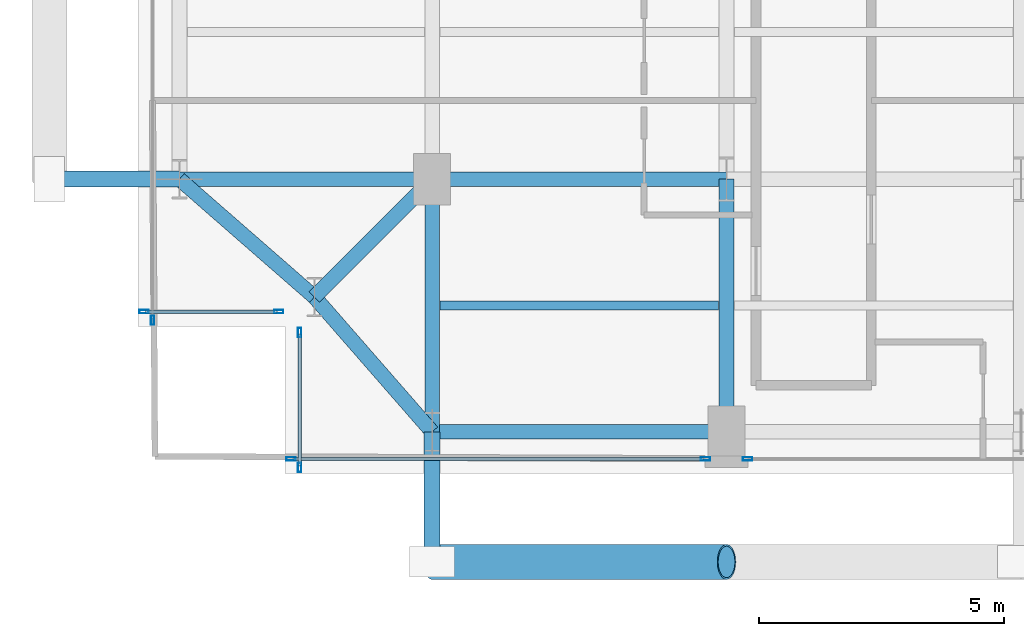
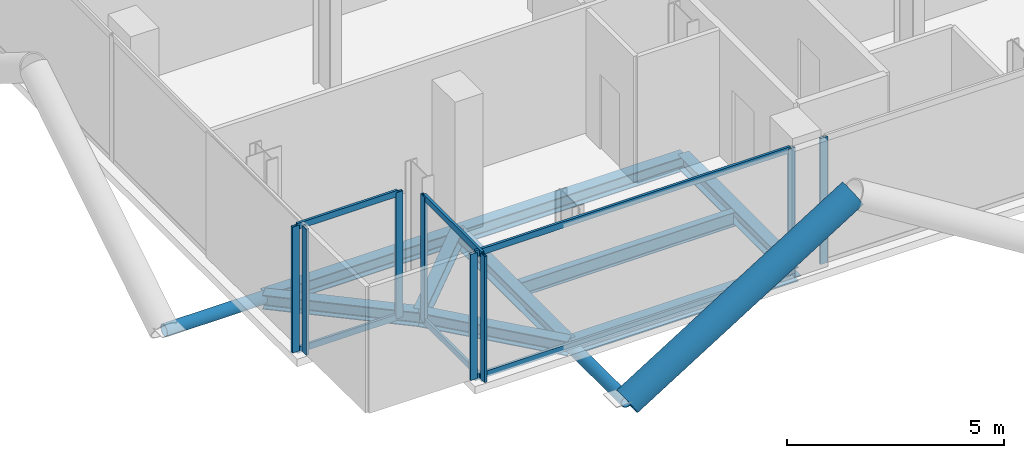
# One storey, part 2 of 25: 17 members, 9 beams, 5 elements without a shape of their own.
"""IFC4 building model written with IfcOpenShell, lengths in metres."""

from ifc_helpers import new_model, si_unit, direction, frame, origin, origin_2d, place, context, subcontext, project, spatial, hollow_rectangle, hollow_circle, i_section, extrude, material, layer, layer_set, material_profile, profile_set, type_object, element, aggregate, save


model = new_model("IFC4")

# Units and contexts
model_context = context("Model", 3, precision=1e-05, world=origin(), true_north=direction((0.0, 1.0)))
body_context = subcontext(model_context, "Body", "Model", "MODEL_VIEW")
ifc_project = project(units=[si_unit("LENGTHUNIT", "METRE"), si_unit("AREAUNIT", "SQUARE_METRE"), si_unit("VOLUMEUNIT", "CUBIC_METRE"), si_unit("PLANEANGLEUNIT", "RADIAN"), si_unit("MASSUNIT", "GRAM", prefix="KILO"), si_unit("THERMODYNAMICTEMPERATUREUNIT", "KELVIN"), si_unit("POWERUNIT", "WATT")], contexts=[model_context])

# Site, building, storey
site_placement = place(None, origin())
site = spatial("IfcSite", under=ifc_project, at=site_placement, CompositionType="ELEMENT")
building_placement = place(site_placement, origin())
building = spatial("IfcBuilding", under=site, at=building_placement, Name="Svarakhadi Broadcast Tower", CompositionType="ELEMENT")
storey_placement = place(building_placement, frame((0.0, 0.0, 212.39990234375)))
storey = spatial("IfcBuildingStorey", under=building, at=storey_placement, Name="L52", CompositionType="ELEMENT", Elevation=212.39990234375)

# Beam
ifc_material_1 = material(Name="Steel S355J2 (IS 2062 E350C)", Category="steel")
ifc_material_profile_1 = material_profile(ifc_material_1, i_section(OverallWidth=0.179931640625, OverallDepth=0.39990234375, WebThickness=0.008544921875, FlangeThickness=0.013427734375, FilletRadius=0.02099609375, at=origin_2d()), Name="NPB 400x180x66")
ifc_profile_set_1 = profile_set([ifc_material_profile_1], Name="Steel S355J2 (IS 2062 E350C)")
beam_type_1 = type_object("IfcBeamType", Name="Beam_NPB400", PredefinedType="BEAM", material=ifc_profile_set_1)
beam_1_placement = place(storey_placement, frame((6.159912109375, 3.425048828125, -0.409912109375), z_axis=(1.0, 0.0, 0.0), x_axis=(0.0, 1.0, 0.0)))
element("IfcBeam", 1, at=beam_1_placement, inside=storey, type_object=beam_type_1, Name="L52 Secondary Composite Beam SB005", PredefinedType="BEAM", context=body_context, shape_type="SweptSolid", body=[
    extrude(i_section(OverallWidth=0.179931640625, OverallDepth=0.39990234375, WebThickness=0.008544921875, FlangeThickness=0.013427734375, FilletRadius=0.02099609375, at=origin_2d()), origin(), (0.0, 0.0, 1.0), 5.68017578125),
])

# Curtain wall, members
ifc_material_2 = material(Name="Anodised Bronze Aluminium AA 6063-T6", Category="aluminium")
ifc_layer = layer(ifc_material_2, 0.18994140625)
ifc_layer_set = layer_set([ifc_layer], Name="Anodised Bronze Aluminium AA 6063-T6")
curtain_wall_type = type_object("IfcCurtainWallType", Name="CW_Sys_04", PredefinedType="NOTDEFINED", material=ifc_layer_set)
curtain_wall_1_placement = place(storey_placement, origin())
curtain_wall_1 = element("IfcCurtainWall", 2, at=curtain_wall_1_placement, inside=storey, type_object=curtain_wall_type, Name="L52 Unitised Facade Curtain Wall 01", PredefinedType="NOTDEFINED")
ifc_material_profile_2 = material_profile(ifc_material_2, hollow_rectangle(XDim=0.070068359375, YDim=0.18994140625, WallThickness=0.005615234375, at=origin_2d()), Name="ALU MULLION 190x70x6")
ifc_profile_set_2 = profile_set([ifc_material_profile_2], Name="Anodised Bronze Aluminium AA 6063-T6")
member_type_1 = type_object("IfcMemberType", Name="CW_Sys_04_Mul", PredefinedType="MULLION", material=ifc_profile_set_2)
member_1_placement = place(storey_placement, frame((2.875, 3.300048828125, 0.0), z_axis=(0.0, 0.0, 1.0), x_axis=(0.0, -1.0, 0.0)))
member_1 = element("IfcMember", 3, at=member_1_placement, type_object=member_type_1, Name="CW-04 mullion 1", PredefinedType="MULLION", context=body_context, shape_type="SweptSolid", body=[
    extrude(hollow_rectangle(XDim=0.070068359375, YDim=0.18994140625, WallThickness=0.005615234375, at=origin_2d()), origin(), (0.0, 0.0, 1.0), 3.5400390625),
])
member_2_placement = place(storey_placement, frame((0.125, 3.300048828125, 0.0), z_axis=(0.0, 0.0, 1.0), x_axis=(0.0, -1.0, 0.0)))
member_2 = element("IfcMember", 4, at=member_2_placement, type_object=member_type_1, Name="CW-04 mullion 2", PredefinedType="MULLION", context=body_context, shape_type="SweptSolid", body=[
    extrude(hollow_rectangle(XDim=0.070068359375, YDim=0.18994140625, WallThickness=0.005615234375, at=origin_2d()), origin(), (0.0, 0.0, 1.0), 3.5400390625),
])

# Curtain wall, member
curtain_wall_2_placement = place(storey_placement, origin())
curtain_wall_2 = element("IfcCurtainWall", 5, at=curtain_wall_2_placement, inside=storey, type_object=curtain_wall_type, Name="L52 West Curtain Wall 02", PredefinedType="NOTDEFINED")
member_3_placement = place(storey_placement, frame((0.300048828125, 3.125, 0.0), z_axis=(0.0, 0.0, 1.0), x_axis=(-1.0, 0.0, 0.0)))
member_3 = element("IfcMember", 6, at=member_3_placement, type_object=member_type_1, Name="CW-04 mullion 1", PredefinedType="MULLION", context=body_context, shape_type="SweptSolid", body=[
    extrude(hollow_rectangle(XDim=0.070068359375, YDim=0.18994140625, WallThickness=0.005615234375, at=origin_2d()), origin(), (0.0, 0.0, 1.0), 3.5400390625),
])
aggregate(curtain_wall_2, [member_3])

curtain_wall_3_placement = place(storey_placement, origin())
curtain_wall_3 = element("IfcCurtainWall", 7, at=curtain_wall_3_placement, inside=storey, type_object=curtain_wall_type, Name="L52 South Curtain Wall 17 Bay 2", PredefinedType="NOTDEFINED")
member_4_placement = place(storey_placement, frame((12.429931640625, 0.300048828125, 0.0), z_axis=(0.0, 0.0, 1.0), x_axis=(0.0, -1.0, 0.0)))
member_4 = element("IfcMember", 8, at=member_4_placement, type_object=member_type_1, Name="CW-04 mullion 2", PredefinedType="MULLION", context=body_context, shape_type="SweptSolid", body=[
    extrude(hollow_rectangle(XDim=0.070068359375, YDim=0.18994140625, WallThickness=0.005615234375, at=origin_2d()), origin(), (0.0, 0.0, 1.0), 3.5400390625),
])
aggregate(curtain_wall_3, [member_4])

# Curtain wall, members
curtain_wall_4_placement = place(storey_placement, origin())
curtain_wall_4 = element("IfcCurtainWall", 9, at=curtain_wall_4_placement, inside=storey, type_object=curtain_wall_type, Name="L52 South Curtain Wall 17 Bay 3", PredefinedType="NOTDEFINED")
member_5_placement = place(storey_placement, frame((11.570068359375, 0.300048828125, 0.0), z_axis=(0.0, 0.0, 1.0), x_axis=(0.0, -1.0, 0.0)))
member_5 = element("IfcMember", 10, at=member_5_placement, type_object=member_type_1, Name="CW-04 mullion 1", PredefinedType="MULLION", context=body_context, shape_type="SweptSolid", body=[
    extrude(hollow_rectangle(XDim=0.070068359375, YDim=0.18994140625, WallThickness=0.005615234375, at=origin_2d()), origin(), (0.0, 0.0, 1.0), 3.5400390625),
])
member_6_placement = place(storey_placement, frame((3.125, 0.300048828125, 0.0), z_axis=(0.0, 0.0, 1.0), x_axis=(0.0, -1.0, 0.0)))
member_6 = element("IfcMember", 11, at=member_6_placement, type_object=member_type_1, Name="CW-04 mullion 2", PredefinedType="MULLION", context=body_context, shape_type="SweptSolid", body=[
    extrude(hollow_rectangle(XDim=0.070068359375, YDim=0.18994140625, WallThickness=0.005615234375, at=origin_2d()), origin(), (0.0, 0.0, 1.0), 3.5400390625),
])

curtain_wall_5_placement = place(storey_placement, origin())
curtain_wall_5 = element("IfcCurtainWall", 12, at=curtain_wall_5_placement, inside=storey, type_object=curtain_wall_type, Name="L52 Unitised Facade Curtain Wall 18", PredefinedType="NOTDEFINED")
member_7_placement = place(storey_placement, frame((3.300048828125, 0.125, 0.0), z_axis=(0.0, 0.0, 1.0), x_axis=(-1.0, 0.0, 0.0)))
member_7 = element("IfcMember", 13, at=member_7_placement, type_object=member_type_1, Name="CW-04 mullion 1", PredefinedType="MULLION", context=body_context, shape_type="SweptSolid", body=[
    extrude(hollow_rectangle(XDim=0.070068359375, YDim=0.18994140625, WallThickness=0.005615234375, at=origin_2d()), origin(), (0.0, 0.0, 1.0), 3.5400390625),
])
member_8_placement = place(storey_placement, frame((3.300048828125, 2.875, 0.0), z_axis=(0.0, 0.0, 1.0), x_axis=(-1.0, 0.0, 0.0)))
member_8 = element("IfcMember", 14, at=member_8_placement, type_object=member_type_1, Name="CW-04 mullion 2", PredefinedType="MULLION", context=body_context, shape_type="SweptSolid", body=[
    extrude(hollow_rectangle(XDim=0.070068359375, YDim=0.18994140625, WallThickness=0.005615234375, at=origin_2d()), origin(), (0.0, 0.0, 1.0), 3.5400390625),
])

# Member
ifc_material_profile_3 = material_profile(ifc_material_2, hollow_rectangle(XDim=0.06494140625, YDim=0.175048828125, WallThickness=0.0048828125, at=origin_2d()), Name="ALU TRANSOM 175x65x5")
ifc_profile_set_3 = profile_set([ifc_material_profile_3], Name="Anodised Bronze Aluminium AA 6063-T6")
member_type_2 = type_object("IfcMemberType", Name="CW_Sys_04_Trn", PredefinedType="USERDEFINED", material=ifc_profile_set_3)
member_9_placement = place(storey_placement, frame((2.840087890625, 3.300048828125, 0.03271484375), z_axis=(-1.0, 0.0, 0.0), x_axis=(0.0, -1.0, 0.0)))
member_9 = element("IfcMember", 15, at=member_9_placement, type_object=member_type_2, Name="CW-04 transom 1.1", ObjectType="TRANSOM", PredefinedType="USERDEFINED", context=body_context, shape_type="SweptSolid", body=[
    extrude(hollow_rectangle(XDim=0.06494140625, YDim=0.175048828125, WallThickness=0.0048828125, at=origin_2d()), origin(), (0.0, 0.0, 1.0), 2.68017578125),
])

member_10_placement = place(storey_placement, frame((2.840087890625, 3.300048828125, 3.507568359375), z_axis=(-1.0, 0.0, 0.0), x_axis=(0.0, -1.0, 0.0)))
member_10 = element("IfcMember", 16, at=member_10_placement, type_object=member_type_2, Name="CW-04 transom 1.2", ObjectType="TRANSOM", PredefinedType="USERDEFINED", context=body_context, shape_type="SweptSolid", body=[
    extrude(hollow_rectangle(XDim=0.06494140625, YDim=0.175048828125, WallThickness=0.0048828125, at=origin_2d()), origin(), (0.0, 0.0, 1.0), 2.68017578125),
])

aggregate(curtain_wall_1, [member_1, member_2, member_9, member_10])

member_11_placement = place(storey_placement, frame((11.534912109375, 0.300048828125, 0.03271484375), z_axis=(-1.0, 0.0, 0.0), x_axis=(0.0, -1.0, 0.0)))
member_11 = element("IfcMember", 17, at=member_11_placement, type_object=member_type_2, Name="CW-04 transom 1.1", ObjectType="TRANSOM", PredefinedType="USERDEFINED", context=body_context, shape_type="SweptSolid", body=[
    extrude(hollow_rectangle(XDim=0.06494140625, YDim=0.175048828125, WallThickness=0.0048828125, at=origin_2d()), origin(), (0.0, 0.0, 1.0), 8.375),
])

member_12_placement = place(storey_placement, frame((11.534912109375, 0.300048828125, 3.507568359375), z_axis=(-1.0, 0.0, 0.0), x_axis=(0.0, -1.0, 0.0)))
member_12 = element("IfcMember", 18, at=member_12_placement, type_object=member_type_2, Name="CW-04 transom 1.2", ObjectType="TRANSOM", PredefinedType="USERDEFINED", context=body_context, shape_type="SweptSolid", body=[
    extrude(hollow_rectangle(XDim=0.06494140625, YDim=0.175048828125, WallThickness=0.0048828125, at=origin_2d()), origin(), (0.0, 0.0, 1.0), 8.375),
])

aggregate(curtain_wall_4, [member_5, member_6, member_11, member_12])

member_13_placement = place(storey_placement, frame((3.300048828125, 0.159912109375, 0.03271484375), z_axis=(0.0, 1.0, 0.0), x_axis=(-1.0, 0.0, 0.0)))
member_13 = element("IfcMember", 19, at=member_13_placement, type_object=member_type_2, Name="CW-04 transom 1.1", ObjectType="TRANSOM", PredefinedType="USERDEFINED", context=body_context, shape_type="SweptSolid", body=[
    extrude(hollow_rectangle(XDim=0.06494140625, YDim=0.175048828125, WallThickness=0.0048828125, at=origin_2d()), origin(), (0.0, 0.0, 1.0), 2.68017578125),
])

member_14_placement = place(storey_placement, frame((3.300048828125, 0.159912109375, 3.507568359375), z_axis=(0.0, 1.0, 0.0), x_axis=(-1.0, 0.0, 0.0)))
member_14 = element("IfcMember", 20, at=member_14_placement, type_object=member_type_2, Name="CW-04 transom 1.2", ObjectType="TRANSOM", PredefinedType="USERDEFINED", context=body_context, shape_type="SweptSolid", body=[
    extrude(hollow_rectangle(XDim=0.06494140625, YDim=0.175048828125, WallThickness=0.0048828125, at=origin_2d()), origin(), (0.0, 0.0, 1.0), 2.68017578125),
])

aggregate(curtain_wall_5, [member_7, member_8, member_13, member_14])

# Members
ifc_material_3 = material(Name="Steel S460ML (IS 2062 E450BR)", Category="steel")
ifc_material_profile_4 = material_profile(ifc_material_3, hollow_circle(Radius=0.35546875, WallThickness=0.034912109375, at=origin_2d()), Name="CHS 711x35")
ifc_profile_set_4 = profile_set([ifc_material_profile_4], Name="Steel S460ML (IS 2062 E450BR)")
member_type_3 = type_object("IfcMemberType", Name="Exo_Brace_CHS711", PredefinedType="BRACE", material=ifc_profile_set_4)
member_15_placement = place(storey_placement, frame((6.0, -1.800048828125, -0.371826171875), z_axis=(0.847998304005, 0.0, 0.529998940003), x_axis=(0.0, 1.0, 0.0)))
element("IfcMember", 21, at=member_15_placement, inside=storey, type_object=member_type_3, Name="L52 Exposed Bronze Exoskeleton Diagonal S01", PredefinedType="BRACE", context=body_context, shape_type="SweptSolid", body=[
    extrude(hollow_circle(Radius=0.35546875, WallThickness=0.034912109375, at=origin_2d()), origin(), (0.0, 0.0, 1.0), 7.075439453125),
])
ifc_material_profile_5 = material_profile(ifc_material_3, hollow_circle(Radius=0.161865234375, WallThickness=0.01611328125, at=origin_2d()), Name="CHS 323.9x16")
ifc_profile_set_5 = profile_set([ifc_material_profile_5], Name="Steel S460ML (IS 2062 E450BR)")
member_type_4 = type_object("IfcMemberType", Name="Exo_Radial_Strut_Z2", PredefinedType="STRUT", material=ifc_profile_set_5)
for number, where, z_axis, x_axis, name in (
    (22, (6.0, -1.800048828125, -0.371826171875), (0.0, 1.0, 0.0), (-1.0, 0.0, 0.0), "L52 Exoskeleton Radial Tie Strut S01"),
    (23, (-1.800048828125, 6.0, -0.371826171875), (1.0, 0.0, 0.0), (0.0, 1.0, 0.0), "L52 Exoskeleton Radial Tie Strut W04"),
):
    element("IfcMember", number, at=place(storey_placement, frame(where, z_axis=z_axis, x_axis=x_axis)), inside=storey, type_object=member_type_4, Name=name, PredefinedType="STRUT", context=body_context, shape_type="SweptSolid", body=[
        extrude(hollow_circle(Radius=0.161865234375, WallThickness=0.01611328125, at=origin_2d()), origin(), (0.0, 0.0, 1.0), 2.650146484375),
    ])

# Beams
ifc_material_profile_6 = material_profile(ifc_material_1, i_section(OverallWidth=0.300048828125, OverallDepth=0.39990234375, WebThickness=0.013427734375, FlangeThickness=0.02392578125, FilletRadius=0.027099609375, at=origin_2d()), Name="WPB 400x300x155")
ifc_profile_set_6 = profile_set([ifc_material_profile_6], Name="Steel S355J2 (IS 2062 E350C)")
beam_type_2 = type_object("IfcBeamType", Name="Girder_WPB400", PredefinedType="USERDEFINED", material=ifc_profile_set_6)
beam_2_placement = place(storey_placement, frame((3.60009765625, 3.60009765625, -0.409912109375), z_axis=(0.707106781187, 0.707106781187, 0.0), x_axis=(-0.707106781187, 0.707106781187, 0.0)))
element("IfcBeam", 24, at=beam_2_placement, inside=storey, type_object=beam_type_2, Name="L52 Corner Tie Girder G001", ObjectType="GIRDER", PredefinedType="USERDEFINED", context=body_context, shape_type="SweptSolid", body=[
    extrude(i_section(OverallWidth=0.300048828125, OverallDepth=0.39990234375, WebThickness=0.013427734375, FlangeThickness=0.02392578125, FilletRadius=0.027099609375, at=origin_2d()), origin(), (0.0, 0.0, 1.0), 3.39404296875),
])
for number, where, z_axis, x_axis, name in (
    (25, (3.60009765625, 3.60009765625, -0.409912109375), (-0.753437912176, 0.657519058655, 0.0), (-0.657519058655, -0.753437912176, 0.0), "L52 Corner Tie Girder G002"),
    (26, (3.60009765625, 3.60009765625, -0.409912109375), (0.657519058655, -0.753437912176, 0.0), (0.753437912176, 0.657519058655, 0.0), "L52 Corner Tie Girder G003"),
):
    element("IfcBeam", number, at=place(storey_placement, frame(where, z_axis=z_axis, x_axis=x_axis)), inside=storey, type_object=beam_type_2, Name=name, ObjectType="GIRDER", PredefinedType="USERDEFINED", context=body_context, shape_type="SweptSolid", body=[
        extrude(i_section(OverallWidth=0.300048828125, OverallDepth=0.39990234375, WebThickness=0.013427734375, FlangeThickness=0.02392578125, FilletRadius=0.027099609375, at=origin_2d()), origin(), (0.0, 0.0, 1.0), 3.64990234375),
    ])
beam_3_placement = place(storey_placement, frame((6.0, 0.85009765625, -0.409912109375), z_axis=(1.0, 0.0, 0.0), x_axis=(0.0, 1.0, 0.0)))
element("IfcBeam", 27, at=beam_3_placement, inside=storey, type_object=beam_type_2, Name="L52 Primary E-W Girder G004", ObjectType="GIRDER", PredefinedType="USERDEFINED", context=body_context, shape_type="SweptSolid", body=[
    extrude(i_section(OverallWidth=0.300048828125, OverallDepth=0.39990234375, WebThickness=0.013427734375, FlangeThickness=0.02392578125, FilletRadius=0.027099609375, at=origin_2d()), origin(), (0.0, 0.0, 1.0), 6.0),
])
beam_4_placement = place(storey_placement, frame((0.85009765625, 6.0, -0.409912109375), z_axis=(1.0, 0.0, 0.0), x_axis=(0.0, 1.0, 0.0)))
element("IfcBeam", 28, at=beam_4_placement, inside=storey, type_object=beam_type_2, Name="L52 Primary E-W Girder G009", ObjectType="GIRDER", PredefinedType="USERDEFINED", context=body_context, shape_type="SweptSolid", body=[
    extrude(i_section(OverallWidth=0.300048828125, OverallDepth=0.39990234375, WebThickness=0.013427734375, FlangeThickness=0.02392578125, FilletRadius=0.027099609375, at=origin_2d()), origin(), (0.0, 0.0, 1.0), 5.14990234375),
])
beam_5_placement = place(storey_placement, frame((6.0, 6.0, -0.409912109375), z_axis=(1.0, 0.0, 0.0), x_axis=(0.0, 1.0, 0.0)))
element("IfcBeam", 29, at=beam_5_placement, inside=storey, type_object=beam_type_2, Name="L52 Primary E-W Girder G010", ObjectType="GIRDER", PredefinedType="USERDEFINED", context=body_context, shape_type="SweptSolid", body=[
    extrude(i_section(OverallWidth=0.300048828125, OverallDepth=0.39990234375, WebThickness=0.013427734375, FlangeThickness=0.02392578125, FilletRadius=0.027099609375, at=origin_2d()), origin(), (0.0, 0.0, 1.0), 6.0),
])
for number, where, z_axis, x_axis, name in (
    (30, (6.0, 0.85009765625, -0.409912109375), (0.0, 1.0, 0.0), (-1.0, 0.0, 0.0), "L52 Primary N-S Girder G037"),
    (31, (12.0, 0.85009765625, -0.409912109375), (0.0, 1.0, 0.0), (-1.0, 0.0, 0.0), "L52 Primary N-S Girder G042"),
):
    element("IfcBeam", number, at=place(storey_placement, frame(where, z_axis=z_axis, x_axis=x_axis)), inside=storey, type_object=beam_type_2, Name=name, ObjectType="GIRDER", PredefinedType="USERDEFINED", context=body_context, shape_type="SweptSolid", body=[
        extrude(i_section(OverallWidth=0.300048828125, OverallDepth=0.39990234375, WebThickness=0.013427734375, FlangeThickness=0.02392578125, FilletRadius=0.027099609375, at=origin_2d()), origin(), (0.0, 0.0, 1.0), 5.14990234375),
    ])

save(model, "model.ifc")
